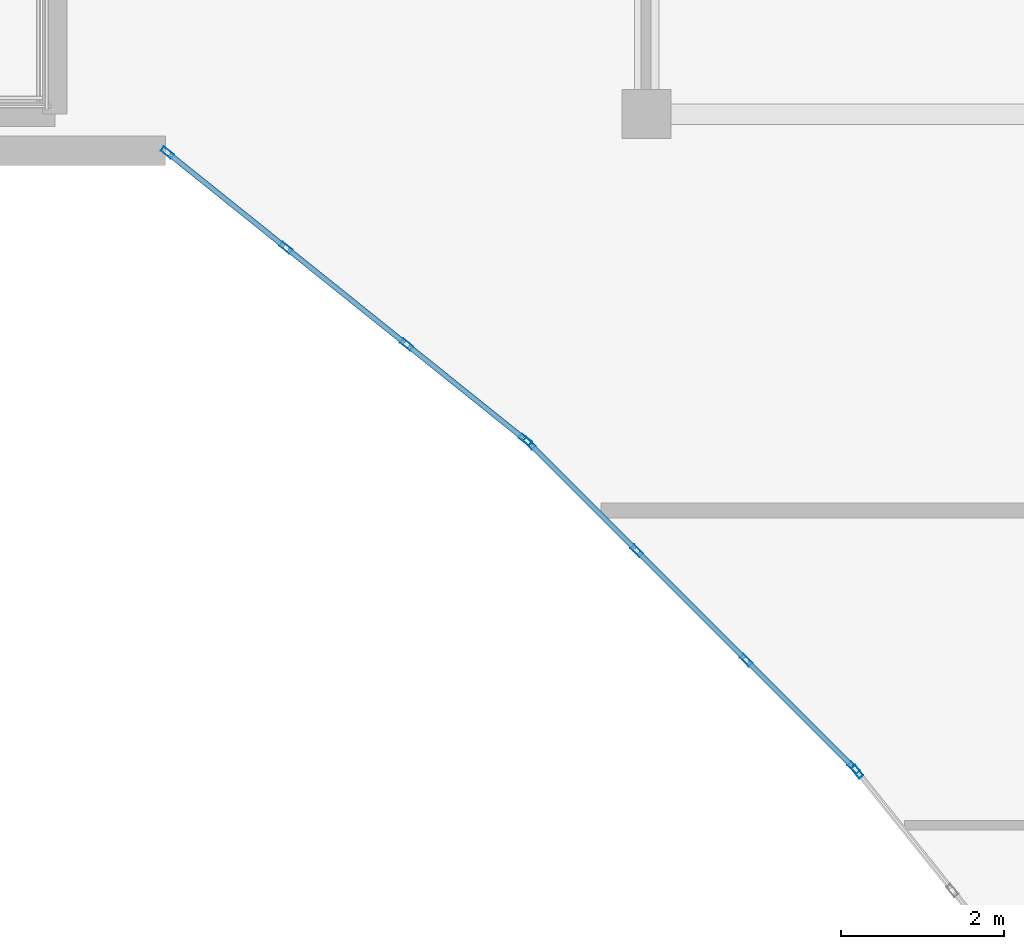
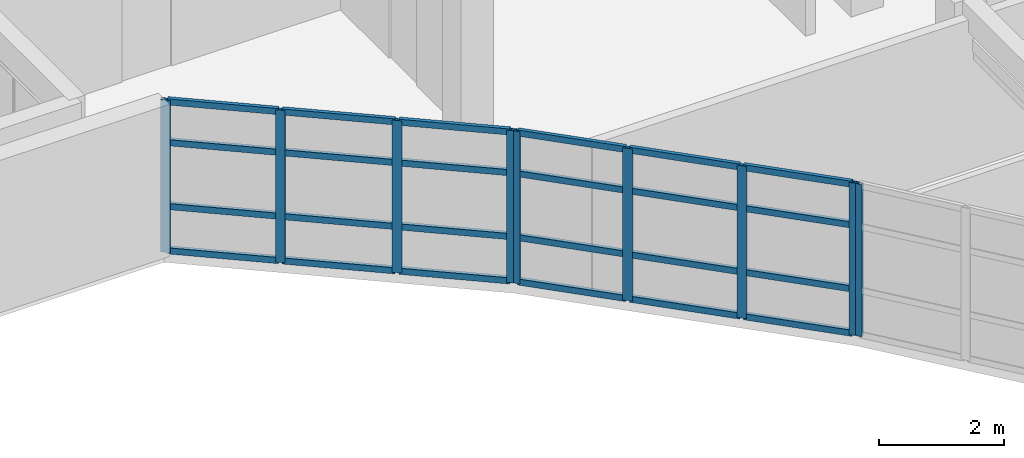
# One storey, part 24 of 79: 33 members, 3 elements without a shape of their own.
"""IFC4 building model written with IfcOpenShell, lengths in metres."""

from ifc_helpers import new_model, si_unit, direction, frame, origin, origin_2d, place, context, subcontext, project, spatial, hollow_rectangle, extrude, material, layer, layer_set, material_profile, profile_set, type_object, element, aggregate, save


model = new_model("IFC4")

# Units and contexts
model_context = context("Model", 3, precision=1e-05, world=origin(), true_north=direction((0.0, 1.0)))
body_context = subcontext(model_context, "Body", "Model", "MODEL_VIEW")
ifc_project = project(units=[si_unit("LENGTHUNIT", "METRE"), si_unit("AREAUNIT", "SQUARE_METRE"), si_unit("VOLUMEUNIT", "CUBIC_METRE"), si_unit("PLANEANGLEUNIT", "RADIAN"), si_unit("MASSUNIT", "GRAM", prefix="KILO")], contexts=[model_context])

# Site, building, storey
site_placement = place(None, origin())
site = spatial("IfcSite", under=ifc_project, at=site_placement, CompositionType="ELEMENT")
building_placement = place(site_placement, origin())
building = spatial("IfcBuilding", under=site, at=building_placement, Name="Keldmere Railside Commons", CompositionType="ELEMENT")
storey_placement = place(building_placement, frame((0.0, 0.0, 10.56005859375)))
storey = spatial("IfcBuildingStorey", under=building, at=storey_placement, Name="L03", CompositionType="ELEMENT", Elevation=10.56005859375)

# Curtain wall, members
ifc_material = material(Name="Thermally Broken Aluminium", Category="aluminium")
ifc_layer_1 = layer(ifc_material, 0.159912109375, Name="Court Chord Wintergarden CW 5400x2850")
ifc_layer_set_1 = layer_set([ifc_layer_1], Name="Thermally Broken Aluminium")
curtain_wall_type_1 = type_object("IfcCurtainWallType", Name="Court Chord Wintergarden CW 5400x2850", PredefinedType="NOTDEFINED", material=ifc_layer_set_1)
curtain_wall_1_placement = place(storey_placement, origin())
curtain_wall_1 = element("IfcCurtainWall", 1, at=curtain_wall_1_placement, inside=storey, type_object=curtain_wall_type_1, Name="CW-13 CW-L03-166", PredefinedType="NOTDEFINED")
ifc_material_profile_1 = material_profile(ifc_material, hollow_rectangle(XDim=0.06494140625, YDim=0.159912109375, WallThickness=0.00390625, at=origin_2d()), Name="ALU-MULL-65x160")
ifc_profile_set_1 = profile_set([ifc_material_profile_1], Name="Thermally Broken Aluminium")
member_type_1 = type_object("IfcMemberType", Name="Unitised Curtain Wall Mullion 65x160", PredefinedType="MULLION", material=ifc_profile_set_1)
member_1_placement = place(storey_placement, frame((160.404541015625, 96.46630859375, 0.0), z_axis=(0.0, 0.0, 1.0), x_axis=(-0.625768080915, -0.780009172323, 0.0)))
member_1 = element("IfcMember", 2, at=member_1_placement, type_object=member_type_1, Name="CW-13 mullion 1", PredefinedType="MULLION", context=body_context, shape_type="SweptSolid", body=[
    extrude(hollow_rectangle(XDim=0.06494140625, YDim=0.159912109375, WallThickness=0.00390625, at=origin_2d()), origin(), (0.0, 0.0, 1.0), 2.97998046875),
])
member_2_placement = place(storey_placement, frame((158.953369140625, 97.630615234375, 0.0), z_axis=(0.0, 0.0, 1.0), x_axis=(-0.625768080915, -0.780009172323, 0.0)))
member_2 = element("IfcMember", 3, at=member_2_placement, type_object=member_type_1, Name="CW-13 mullion 2", PredefinedType="MULLION", context=body_context, shape_type="SweptSolid", body=[
    extrude(hollow_rectangle(XDim=0.06494140625, YDim=0.159912109375, WallThickness=0.00390625, at=origin_2d()), origin(), (0.0, 0.0, 1.0), 2.97998046875),
])
member_3_placement = place(storey_placement, frame((157.4765625, 98.8154296875, 0.0), z_axis=(0.0, 0.0, 1.0), x_axis=(-0.625768080915, -0.780009172323, 0.0)))
member_3 = element("IfcMember", 4, at=member_3_placement, type_object=member_type_1, Name="CW-13 mullion 3", PredefinedType="MULLION", context=body_context, shape_type="SweptSolid", body=[
    extrude(hollow_rectangle(XDim=0.06494140625, YDim=0.159912109375, WallThickness=0.00390625, at=origin_2d()), origin(), (0.0, 0.0, 1.0), 2.97998046875),
])
member_4_placement = place(storey_placement, frame((156.025390625, 99.979736328125, 0.0), z_axis=(0.0, 0.0, 1.0), x_axis=(-0.625768080915, -0.780009172323, 0.0)))
member_4 = element("IfcMember", 5, at=member_4_placement, type_object=member_type_1, Name="CW-13 mullion 4", PredefinedType="MULLION", context=body_context, shape_type="SweptSolid", body=[
    extrude(hollow_rectangle(XDim=0.06494140625, YDim=0.159912109375, WallThickness=0.00390625, at=origin_2d()), origin(), (0.0, 0.0, 1.0), 2.97998046875),
])

ifc_layer_2 = layer(ifc_material, 0.159912109375, Name="Court Chord Wintergarden CW 4800x2850")
ifc_layer_set_2 = layer_set([ifc_layer_2], Name="Thermally Broken Aluminium")
curtain_wall_type_2 = type_object("IfcCurtainWallType", Name="Court Chord Wintergarden CW 4800x2850", PredefinedType="NOTDEFINED", material=ifc_layer_set_2)
curtain_wall_2_placement = place(storey_placement, origin())
curtain_wall_2 = element("IfcCurtainWall", 6, at=curtain_wall_2_placement, inside=storey, type_object=curtain_wall_type_2, Name="CW-12 CW-L03-167", PredefinedType="NOTDEFINED")
member_5_placement = place(storey_placement, frame((164.423095703125, 92.452880859375, 0.0), z_axis=(0.0, 0.0, 1.0), x_axis=(-0.707106781187, -0.707106781187, 0.0)))
member_5 = element("IfcMember", 7, at=member_5_placement, type_object=member_type_1, Name="CW-12 mullion 1", PredefinedType="MULLION", context=body_context, shape_type="SweptSolid", body=[
    extrude(hollow_rectangle(XDim=0.06494140625, YDim=0.159912109375, WallThickness=0.00390625, at=origin_2d()), origin(), (0.0, 0.0, 1.0), 2.97998046875),
])
member_6_placement = place(storey_placement, frame((163.107421875, 93.7685546875, 0.0), z_axis=(0.0, 0.0, 1.0), x_axis=(-0.707106781187, -0.707106781187, 0.0)))
member_6 = element("IfcMember", 8, at=member_6_placement, type_object=member_type_1, Name="CW-12 mullion 2", PredefinedType="MULLION", context=body_context, shape_type="SweptSolid", body=[
    extrude(hollow_rectangle(XDim=0.06494140625, YDim=0.159912109375, WallThickness=0.00390625, at=origin_2d()), origin(), (0.0, 0.0, 1.0), 2.97998046875),
])
member_7_placement = place(storey_placement, frame((161.7685546875, 95.107421875, 0.0), z_axis=(0.0, 0.0, 1.0), x_axis=(-0.707106781187, -0.707106781187, 0.0)))
member_7 = element("IfcMember", 9, at=member_7_placement, type_object=member_type_1, Name="CW-12 mullion 3", PredefinedType="MULLION", context=body_context, shape_type="SweptSolid", body=[
    extrude(hollow_rectangle(XDim=0.06494140625, YDim=0.159912109375, WallThickness=0.00390625, at=origin_2d()), origin(), (0.0, 0.0, 1.0), 2.97998046875),
])
member_8_placement = place(storey_placement, frame((160.452880859375, 96.423095703125, 0.0), z_axis=(0.0, 0.0, 1.0), x_axis=(-0.707106781187, -0.707106781187, 0.0)))
member_8 = element("IfcMember", 10, at=member_8_placement, type_object=member_type_1, Name="CW-12 mullion 4", PredefinedType="MULLION", context=body_context, shape_type="SweptSolid", body=[
    extrude(hollow_rectangle(XDim=0.06494140625, YDim=0.159912109375, WallThickness=0.00390625, at=origin_2d()), origin(), (0.0, 0.0, 1.0), 2.97998046875),
])

# Curtain wall, member
curtain_wall_3_placement = place(storey_placement, origin())
curtain_wall_3 = element("IfcCurtainWall", 11, at=curtain_wall_3_placement, inside=storey, type_object=curtain_wall_type_1, Name="CW-13 CW-L03-168", PredefinedType="NOTDEFINED")
member_9_placement = place(storey_placement, frame((164.46630859375, 92.404541015625, 0.0), z_axis=(0.0, 0.0, 1.0), x_axis=(-0.780009172323, -0.625768080915, 0.0)))
member_9 = element("IfcMember", 12, at=member_9_placement, type_object=member_type_1, Name="CW-13 mullion 4", PredefinedType="MULLION", context=body_context, shape_type="SweptSolid", body=[
    extrude(hollow_rectangle(XDim=0.06494140625, YDim=0.159912109375, WallThickness=0.00390625, at=origin_2d()), origin(), (0.0, 0.0, 1.0), 2.97998046875),
])
aggregate(curtain_wall_3, [member_9])

# Member
ifc_material_profile_2 = material_profile(ifc_material, hollow_rectangle(XDim=0.06494140625, YDim=0.1201171875, WallThickness=0.00390625, at=origin_2d()), Name="ALU-TRAN-65x120")
ifc_profile_set_2 = profile_set([ifc_material_profile_2], Name="Thermally Broken Aluminium")
member_type_2 = type_object("IfcMemberType", Name="Unitised Curtain Wall Transom 65x120", PredefinedType="USERDEFINED", material=ifc_profile_set_2)
member_10_placement = place(storey_placement, frame((160.37939453125, 96.486572265625, 0.032470703125), z_axis=(-0.779979331565, 0.625805275091, 0.0), x_axis=(-0.625805275091, -0.779979331565, 0.0)))
member_10 = element("IfcMember", 13, at=member_10_placement, type_object=member_type_2, Name="CW-13 transom 1.1", ObjectType="TRANSOM", PredefinedType="USERDEFINED", context=body_context, shape_type="SweptSolid", body=[
    extrude(hollow_rectangle(XDim=0.06494140625, YDim=0.1201171875, WallThickness=0.00390625, at=origin_2d()), origin(), (0.0, 0.0, 1.0), 1.795654296875),
])

member_11_placement = place(storey_placement, frame((160.37939453125, 96.486572265625, 0.89990234375), z_axis=(-0.779979331565, 0.625805275091, 0.0), x_axis=(-0.625805275091, -0.779979331565, 0.0)))
member_11 = element("IfcMember", 14, at=member_11_placement, type_object=member_type_2, Name="CW-13 transom 1.2", ObjectType="TRANSOM", PredefinedType="USERDEFINED", context=body_context, shape_type="SweptSolid", body=[
    extrude(hollow_rectangle(XDim=0.06494140625, YDim=0.1201171875, WallThickness=0.00390625, at=origin_2d()), origin(), (0.0, 0.0, 1.0), 1.795654296875),
])

member_12_placement = place(storey_placement, frame((160.37939453125, 96.486572265625, 2.14990234375), z_axis=(-0.779979331565, 0.625805275091, 0.0), x_axis=(-0.625805275091, -0.779979331565, 0.0)))
member_12 = element("IfcMember", 15, at=member_12_placement, type_object=member_type_2, Name="CW-13 transom 1.3", ObjectType="TRANSOM", PredefinedType="USERDEFINED", context=body_context, shape_type="SweptSolid", body=[
    extrude(hollow_rectangle(XDim=0.06494140625, YDim=0.1201171875, WallThickness=0.00390625, at=origin_2d()), origin(), (0.0, 0.0, 1.0), 1.795654296875),
])

member_13_placement = place(storey_placement, frame((160.37939453125, 96.486572265625, 2.947509765625), z_axis=(-0.779979331565, 0.625805275091, 0.0), x_axis=(-0.625805275091, -0.779979331565, 0.0)))
member_13 = element("IfcMember", 16, at=member_13_placement, type_object=member_type_2, Name="CW-13 transom 1.4", ObjectType="TRANSOM", PredefinedType="USERDEFINED", context=body_context, shape_type="SweptSolid", body=[
    extrude(hollow_rectangle(XDim=0.06494140625, YDim=0.1201171875, WallThickness=0.00390625, at=origin_2d()), origin(), (0.0, 0.0, 1.0), 1.795654296875),
])

member_14_placement = place(storey_placement, frame((158.927978515625, 97.651123046875, 0.032470703125), z_axis=(-0.78007338409, 0.625688033635, 0.0), x_axis=(-0.625688033635, -0.78007338409, 0.0)))
member_14 = element("IfcMember", 17, at=member_14_placement, type_object=member_type_2, Name="CW-13 transom 2.1", ObjectType="TRANSOM", PredefinedType="USERDEFINED", context=body_context, shape_type="SweptSolid", body=[
    extrude(hollow_rectangle(XDim=0.06494140625, YDim=0.1201171875, WallThickness=0.00390625, at=origin_2d()), origin(), (0.0, 0.0, 1.0), 1.828125),
])

member_15_placement = place(storey_placement, frame((158.927978515625, 97.651123046875, 0.89990234375), z_axis=(-0.78007338409, 0.625688033635, 0.0), x_axis=(-0.625688033635, -0.78007338409, 0.0)))
member_15 = element("IfcMember", 18, at=member_15_placement, type_object=member_type_2, Name="CW-13 transom 2.2", ObjectType="TRANSOM", PredefinedType="USERDEFINED", context=body_context, shape_type="SweptSolid", body=[
    extrude(hollow_rectangle(XDim=0.06494140625, YDim=0.1201171875, WallThickness=0.00390625, at=origin_2d()), origin(), (0.0, 0.0, 1.0), 1.828125),
])

member_16_placement = place(storey_placement, frame((158.927978515625, 97.651123046875, 2.14990234375), z_axis=(-0.78007338409, 0.625688033635, 0.0), x_axis=(-0.625688033635, -0.78007338409, 0.0)))
member_16 = element("IfcMember", 19, at=member_16_placement, type_object=member_type_2, Name="CW-13 transom 2.3", ObjectType="TRANSOM", PredefinedType="USERDEFINED", context=body_context, shape_type="SweptSolid", body=[
    extrude(hollow_rectangle(XDim=0.06494140625, YDim=0.1201171875, WallThickness=0.00390625, at=origin_2d()), origin(), (0.0, 0.0, 1.0), 1.828125),
])

member_17_placement = place(storey_placement, frame((158.927978515625, 97.651123046875, 2.947509765625), z_axis=(-0.78007338409, 0.625688033635, 0.0), x_axis=(-0.625688033635, -0.78007338409, 0.0)))
member_17 = element("IfcMember", 20, at=member_17_placement, type_object=member_type_2, Name="CW-13 transom 2.4", ObjectType="TRANSOM", PredefinedType="USERDEFINED", context=body_context, shape_type="SweptSolid", body=[
    extrude(hollow_rectangle(XDim=0.06494140625, YDim=0.1201171875, WallThickness=0.00390625, at=origin_2d()), origin(), (0.0, 0.0, 1.0), 1.828125),
])

member_18_placement = place(storey_placement, frame((157.451416015625, 98.835693359375, 0.032470703125), z_axis=(-0.780045694992, 0.625722553313, 0.0), x_axis=(-0.625722553313, -0.780045694992, 0.0)))
member_18 = element("IfcMember", 21, at=member_18_placement, type_object=member_type_2, Name="CW-13 transom 3.1", ObjectType="TRANSOM", PredefinedType="USERDEFINED", context=body_context, shape_type="SweptSolid", body=[
    extrude(hollow_rectangle(XDim=0.06494140625, YDim=0.1201171875, WallThickness=0.00390625, at=origin_2d()), origin(), (0.0, 0.0, 1.0), 1.795654296875),
])

member_19_placement = place(storey_placement, frame((157.451416015625, 98.835693359375, 0.89990234375), z_axis=(-0.780045694992, 0.625722553313, 0.0), x_axis=(-0.625722553313, -0.780045694992, 0.0)))
member_19 = element("IfcMember", 22, at=member_19_placement, type_object=member_type_2, Name="CW-13 transom 3.2", ObjectType="TRANSOM", PredefinedType="USERDEFINED", context=body_context, shape_type="SweptSolid", body=[
    extrude(hollow_rectangle(XDim=0.06494140625, YDim=0.1201171875, WallThickness=0.00390625, at=origin_2d()), origin(), (0.0, 0.0, 1.0), 1.795654296875),
])

member_20_placement = place(storey_placement, frame((157.451416015625, 98.835693359375, 2.14990234375), z_axis=(-0.780045694992, 0.625722553313, 0.0), x_axis=(-0.625722553313, -0.780045694992, 0.0)))
member_20 = element("IfcMember", 23, at=member_20_placement, type_object=member_type_2, Name="CW-13 transom 3.3", ObjectType="TRANSOM", PredefinedType="USERDEFINED", context=body_context, shape_type="SweptSolid", body=[
    extrude(hollow_rectangle(XDim=0.06494140625, YDim=0.1201171875, WallThickness=0.00390625, at=origin_2d()), origin(), (0.0, 0.0, 1.0), 1.795654296875),
])

member_21_placement = place(storey_placement, frame((157.451416015625, 98.835693359375, 2.947509765625), z_axis=(-0.780045694992, 0.625722553313, 0.0), x_axis=(-0.625722553313, -0.780045694992, 0.0)))
member_21 = element("IfcMember", 24, at=member_21_placement, type_object=member_type_2, Name="CW-13 transom 3.4", ObjectType="TRANSOM", PredefinedType="USERDEFINED", context=body_context, shape_type="SweptSolid", body=[
    extrude(hollow_rectangle(XDim=0.06494140625, YDim=0.1201171875, WallThickness=0.00390625, at=origin_2d()), origin(), (0.0, 0.0, 1.0), 1.795654296875),
])

aggregate(curtain_wall_1, [member_1, member_2, member_3, member_4, member_10, member_11, member_12, member_13, member_14, member_15, member_16, member_17, member_18, member_19, member_20, member_21])

member_22_placement = place(storey_placement, frame((164.400146484375, 92.47607421875, 0.032470703125), z_axis=(-0.707174762418, 0.707038793419, 0.0), x_axis=(-0.707038793419, -0.707174762418, 0.0)))
member_22 = element("IfcMember", 25, at=member_22_placement, type_object=member_type_2, Name="CW-12 transom 1.1", ObjectType="TRANSOM", PredefinedType="USERDEFINED", context=body_context, shape_type="SweptSolid", body=[
    extrude(hollow_rectangle(XDim=0.06494140625, YDim=0.1201171875, WallThickness=0.00390625, at=origin_2d()), origin(), (0.0, 0.0, 1.0), 1.795654296875),
])

member_23_placement = place(storey_placement, frame((164.400146484375, 92.47607421875, 0.89990234375), z_axis=(-0.707174762418, 0.707038793419, 0.0), x_axis=(-0.707038793419, -0.707174762418, 0.0)))
member_23 = element("IfcMember", 26, at=member_23_placement, type_object=member_type_2, Name="CW-12 transom 1.2", ObjectType="TRANSOM", PredefinedType="USERDEFINED", context=body_context, shape_type="SweptSolid", body=[
    extrude(hollow_rectangle(XDim=0.06494140625, YDim=0.1201171875, WallThickness=0.00390625, at=origin_2d()), origin(), (0.0, 0.0, 1.0), 1.795654296875),
])

member_24_placement = place(storey_placement, frame((164.400146484375, 92.47607421875, 2.14990234375), z_axis=(-0.707174762418, 0.707038793419, 0.0), x_axis=(-0.707038793419, -0.707174762418, 0.0)))
member_24 = element("IfcMember", 27, at=member_24_placement, type_object=member_type_2, Name="CW-12 transom 1.3", ObjectType="TRANSOM", PredefinedType="USERDEFINED", context=body_context, shape_type="SweptSolid", body=[
    extrude(hollow_rectangle(XDim=0.06494140625, YDim=0.1201171875, WallThickness=0.00390625, at=origin_2d()), origin(), (0.0, 0.0, 1.0), 1.795654296875),
])

member_25_placement = place(storey_placement, frame((164.400146484375, 92.47607421875, 2.947509765625), z_axis=(-0.707174762418, 0.707038793419, 0.0), x_axis=(-0.707038793419, -0.707174762418, 0.0)))
member_25 = element("IfcMember", 28, at=member_25_placement, type_object=member_type_2, Name="CW-12 transom 1.4", ObjectType="TRANSOM", PredefinedType="USERDEFINED", context=body_context, shape_type="SweptSolid", body=[
    extrude(hollow_rectangle(XDim=0.06494140625, YDim=0.1201171875, WallThickness=0.00390625, at=origin_2d()), origin(), (0.0, 0.0, 1.0), 1.795654296875),
])

member_26_placement = place(storey_placement, frame((163.08447265625, 93.791748046875, 0.032470703125), z_axis=(-0.707106781187, 0.707106781187, 0.0), x_axis=(-0.707106781187, -0.707106781187, 0.0)))
member_26 = element("IfcMember", 29, at=member_26_placement, type_object=member_type_2, Name="CW-12 transom 2.1", ObjectType="TRANSOM", PredefinedType="USERDEFINED", context=body_context, shape_type="SweptSolid", body=[
    extrude(hollow_rectangle(XDim=0.06494140625, YDim=0.1201171875, WallThickness=0.00390625, at=origin_2d()), origin(), (0.0, 0.0, 1.0), 1.828125),
])

member_27_placement = place(storey_placement, frame((163.08447265625, 93.791748046875, 0.89990234375), z_axis=(-0.707106781187, 0.707106781187, 0.0), x_axis=(-0.707106781187, -0.707106781187, 0.0)))
member_27 = element("IfcMember", 30, at=member_27_placement, type_object=member_type_2, Name="CW-12 transom 2.2", ObjectType="TRANSOM", PredefinedType="USERDEFINED", context=body_context, shape_type="SweptSolid", body=[
    extrude(hollow_rectangle(XDim=0.06494140625, YDim=0.1201171875, WallThickness=0.00390625, at=origin_2d()), origin(), (0.0, 0.0, 1.0), 1.828125),
])

member_28_placement = place(storey_placement, frame((163.08447265625, 93.791748046875, 2.14990234375), z_axis=(-0.707106781187, 0.707106781187, 0.0), x_axis=(-0.707106781187, -0.707106781187, 0.0)))
member_28 = element("IfcMember", 31, at=member_28_placement, type_object=member_type_2, Name="CW-12 transom 2.3", ObjectType="TRANSOM", PredefinedType="USERDEFINED", context=body_context, shape_type="SweptSolid", body=[
    extrude(hollow_rectangle(XDim=0.06494140625, YDim=0.1201171875, WallThickness=0.00390625, at=origin_2d()), origin(), (0.0, 0.0, 1.0), 1.828125),
])

member_29_placement = place(storey_placement, frame((163.08447265625, 93.791748046875, 2.947509765625), z_axis=(-0.707106781187, 0.707106781187, 0.0), x_axis=(-0.707106781187, -0.707106781187, 0.0)))
member_29 = element("IfcMember", 32, at=member_29_placement, type_object=member_type_2, Name="CW-12 transom 2.4", ObjectType="TRANSOM", PredefinedType="USERDEFINED", context=body_context, shape_type="SweptSolid", body=[
    extrude(hollow_rectangle(XDim=0.06494140625, YDim=0.1201171875, WallThickness=0.00390625, at=origin_2d()), origin(), (0.0, 0.0, 1.0), 1.828125),
])

member_30_placement = place(storey_placement, frame((161.74560546875, 95.13037109375, 0.032470703125), z_axis=(-0.707038793419, 0.707174762418, 0.0), x_axis=(-0.707174762418, -0.707038793419, 0.0)))
member_30 = element("IfcMember", 33, at=member_30_placement, type_object=member_type_2, Name="CW-12 transom 3.1", ObjectType="TRANSOM", PredefinedType="USERDEFINED", context=body_context, shape_type="SweptSolid", body=[
    extrude(hollow_rectangle(XDim=0.06494140625, YDim=0.1201171875, WallThickness=0.00390625, at=origin_2d()), origin(), (0.0, 0.0, 1.0), 1.795654296875),
])

member_31_placement = place(storey_placement, frame((161.74560546875, 95.13037109375, 0.89990234375), z_axis=(-0.707038793419, 0.707174762418, 0.0), x_axis=(-0.707174762418, -0.707038793419, 0.0)))
member_31 = element("IfcMember", 34, at=member_31_placement, type_object=member_type_2, Name="CW-12 transom 3.2", ObjectType="TRANSOM", PredefinedType="USERDEFINED", context=body_context, shape_type="SweptSolid", body=[
    extrude(hollow_rectangle(XDim=0.06494140625, YDim=0.1201171875, WallThickness=0.00390625, at=origin_2d()), origin(), (0.0, 0.0, 1.0), 1.795654296875),
])

member_32_placement = place(storey_placement, frame((161.74560546875, 95.13037109375, 2.14990234375), z_axis=(-0.707038793419, 0.707174762418, 0.0), x_axis=(-0.707174762418, -0.707038793419, 0.0)))
member_32 = element("IfcMember", 35, at=member_32_placement, type_object=member_type_2, Name="CW-12 transom 3.3", ObjectType="TRANSOM", PredefinedType="USERDEFINED", context=body_context, shape_type="SweptSolid", body=[
    extrude(hollow_rectangle(XDim=0.06494140625, YDim=0.1201171875, WallThickness=0.00390625, at=origin_2d()), origin(), (0.0, 0.0, 1.0), 1.795654296875),
])

member_33_placement = place(storey_placement, frame((161.74560546875, 95.13037109375, 2.947509765625), z_axis=(-0.707038793419, 0.707174762418, 0.0), x_axis=(-0.707174762418, -0.707038793419, 0.0)))
member_33 = element("IfcMember", 36, at=member_33_placement, type_object=member_type_2, Name="CW-12 transom 3.4", ObjectType="TRANSOM", PredefinedType="USERDEFINED", context=body_context, shape_type="SweptSolid", body=[
    extrude(hollow_rectangle(XDim=0.06494140625, YDim=0.1201171875, WallThickness=0.00390625, at=origin_2d()), origin(), (0.0, 0.0, 1.0), 1.795654296875),
])

aggregate(curtain_wall_2, [member_5, member_6, member_7, member_8, member_22, member_23, member_24, member_25, member_26, member_27, member_28, member_29, member_30, member_31, member_32, member_33])

save(model, "model.ifc")
